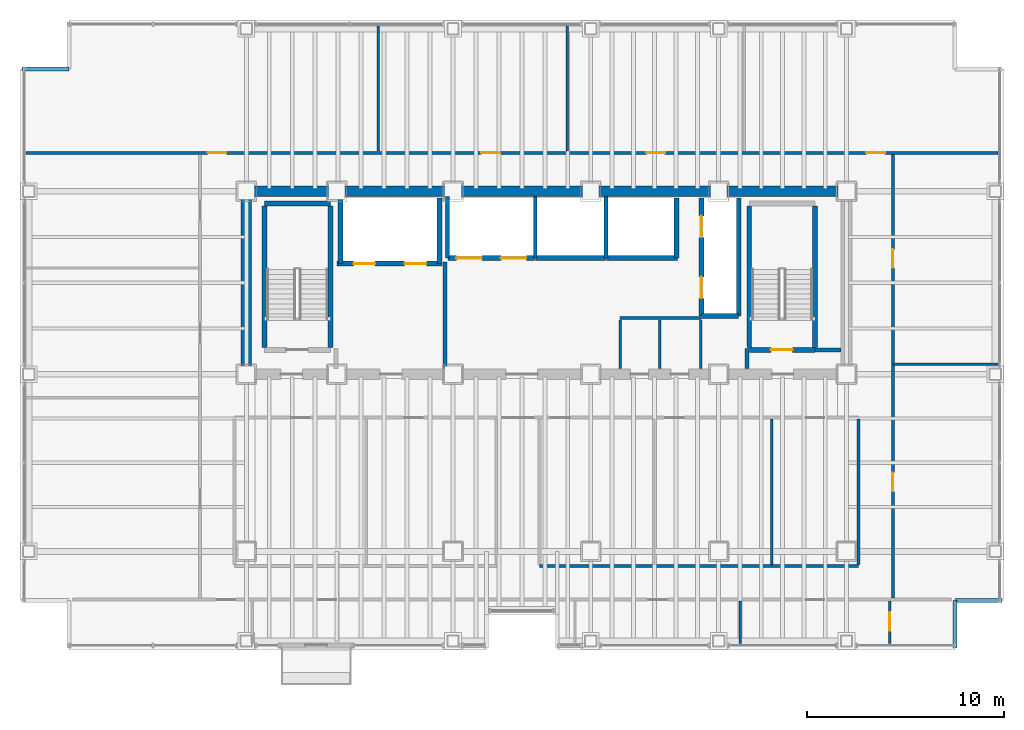
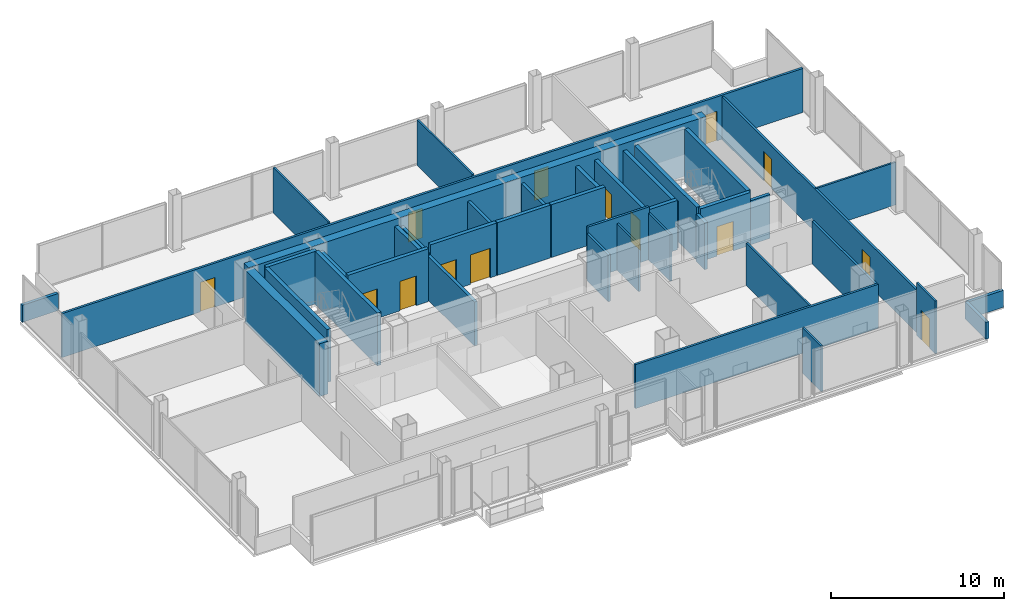
# One storey, part 19 of 21: 41 walls, 14 doors, 14 openings.
"""IFC4 building model written with IfcOpenShell, lengths in metres."""

from ifc_helpers import new_model, si_unit, direction, frame, frame_2d, origin, place, context, subcontext, project, spatial, rectangle, extrude, material, layer, layer_set, type_object, element, fill, save


model = new_model("IFC4")

# Units and contexts
model_context = context("Model", 3, precision=1e-05, world=origin(), true_north=direction((0.0, 1.0)))
body_context = subcontext(model_context, "Body", "Model", "MODEL_VIEW")
ifc_project = project(units=[si_unit("LENGTHUNIT", "METRE"), si_unit("AREAUNIT", "SQUARE_METRE"), si_unit("VOLUMEUNIT", "CUBIC_METRE"), si_unit("PLANEANGLEUNIT", "RADIAN"), si_unit("MASSUNIT", "GRAM", prefix="KILO")], contexts=[model_context])

# Site, building, storey
site_placement = place(None, origin())
site = spatial("IfcSite", under=ifc_project, at=site_placement, CompositionType="ELEMENT")
building_placement = place(site_placement, origin())
building = spatial("IfcBuilding", under=site, at=building_placement, Name="Noeulbin Bourse Tower", CompositionType="ELEMENT")
storey_placement = place(building_placement, frame((0.0, 0.0, 34.300048828125)))
storey = spatial("IfcBuildingStorey", under=building, at=storey_placement, Name="L08", CompositionType="ELEMENT", Elevation=34.300048828125)

# Walls
ifc_material_1 = material(Name="Concrete C60/75", Category="concrete")
ifc_layer_1 = layer(ifc_material_1, 0.550048828125)
ifc_layer_set_1 = layer_set([ifc_layer_1], Name="Concrete C60/75")
wall_type_1 = type_object("IfcWallType", Name="WAL-CORE-550", PredefinedType="SHEAR", material=ifc_layer_set_1)
wall_1_placement = place(storey_placement, frame((13.5, 38.300048828125, 0.0), z_axis=(0.0, 0.0, 1.0), x_axis=(1.0, 0.0, 0.0)))
element("IfcWall", 1, at=wall_1_placement, inside=storey, type_object=wall_type_1, Name="Rear Core North Shear Wall L08", PredefinedType="SHEAR", context=body_context, shape_type="SweptSolid", body=[
    extrude(rectangle(XDim=30.5, YDim=0.550048828125, at=frame_2d((15.25, 0.0))), origin(), (0.0, 0.0, 1.0), 3.719970703125),
])
wall_2_placement = place(storey_placement, frame((13.5, 29.35009765625, 0.0), z_axis=(0.0, 0.0, 1.0), x_axis=(0.0, 1.0, 0.0)))
element("IfcWall", 2, at=wall_2_placement, inside=storey, type_object=wall_type_1, Name="Rear Core West Shear Wall L08", PredefinedType="SHEAR", context=body_context, shape_type="SweptSolid", body=[
    extrude(rectangle(XDim=8.599853515625, YDim=0.550048828125, at=frame_2d((4.2998046875, 0.0))), origin(), (0.0, 0.0, 1.0), 3.719970703125),
])
ifc_material_2 = material(Name="Concrete C40/50", Category="concrete")
ifc_layer_2 = layer(ifc_material_2, 0.199951171875)
ifc_layer_set_2 = layer_set([ifc_layer_2], Name="Concrete C40/50")
wall_type_2 = type_object("IfcWallType", Name="WAL-FIRE-200", PredefinedType="STANDARD", material=ifc_layer_set_2)
wall_3_placement = place(storey_placement, frame((42.39990234375, 30.239990234375, 0.0), z_axis=(0.0, 0.0, 1.0), x_axis=(1.0, 0.0, 0.0)))
element("IfcWall", 3, at=wall_3_placement, inside=storey, type_object=wall_type_2, Name="Interior Partition Wall L08-01", PredefinedType="STANDARD", context=body_context, shape_type="SweptSolid", body=[
    extrude(rectangle(XDim=1.315185546875, YDim=0.199951171875, at=frame_2d((0.65771484375, 0.0))), origin(), (0.0, 0.0, 1.0), 3.099853515625),
])
wall_4_placement = place(storey_placement, frame((38.949951171875, 29.284912109375, 0.0), z_axis=(0.0, 0.0, 1.0), x_axis=(0.0, 1.0, 0.0)))
element("IfcWall", 4, at=wall_4_placement, inside=storey, type_object=wall_type_2, Name="Interior Partition Wall L08-12", PredefinedType="STANDARD", context=body_context, shape_type="SweptSolid", body=[
    extrude(rectangle(XDim=1.01513671875, YDim=0.199951171875, at=frame_2d((0.507568359375, 0.0))), origin(), (0.0, 0.0, 1.0), 3.300048828125),
])
wall_5_placement = place(storey_placement, frame((23.60009765625, 29.284912109375, 0.0), z_axis=(0.0, 0.0, 1.0), x_axis=(0.0, 1.0, 0.0)))
element("IfcWall", 5, at=wall_5_placement, inside=storey, type_object=wall_type_2, Name="Interior Partition Wall L08-13", PredefinedType="STANDARD", context=body_context, shape_type="SweptSolid", body=[
    extrude(rectangle(XDim=5.4150390625, YDim=0.199951171875, at=frame_2d((2.70751953125, 0.0))), origin(), (0.0, 0.0, 1.0), 3.099853515625),
])
ifc_layer_3 = layer(ifc_material_2, 0.199951171875)
ifc_layer_set_3 = layer_set([ifc_layer_3], Name="Concrete C40/50")
wall_type_3 = type_object("IfcWallType", Name="WAL-PAR-200", PredefinedType="PARAPET", material=ifc_layer_set_3)
for number, where, z_axis, x_axis, name in (
    (6, (49.5, 15.10009765625, 0.0), (0.0, 0.0, 1.0), (0.0, 1.0, 0.0), "Corner Notch Parapet L08-SE1"),
    (7, (49.5, 17.5, 0.0), (0.0, 0.0, 1.0), (1.0, 0.0, 0.0), "Corner Notch Parapet L08-SE2"),
    (8, (2.10009765625, 44.5, 0.0), (0.0, 0.0, 1.0), (1.0, 0.0, 0.0), "Corner Notch Parapet L08-NW1"),
):
    element("IfcWall", number, at=place(storey_placement, frame(where, z_axis=z_axis, x_axis=x_axis)), inside=storey, type_object=wall_type_3, Name=name, PredefinedType="PARAPET", context=body_context, shape_type="SweptSolid", body=[
        extrude(rectangle(XDim=2.39990234375, YDim=0.199951171875, at=frame_2d((1.199951171875, 0.0))), origin(), (0.0, 0.0, 1.0), 1.199951171875),
    ])
ifc_material_3 = material(Name="Steel Stud Gypsum Partition", Category="steel")
ifc_layer_4 = layer(ifc_material_3, 0.1201171875)
ifc_layer_set_4 = layer_set([ifc_layer_4], Name="Steel Stud Gypsum Partition")
wall_type_4 = type_object("IfcWallType", Name="WAL-PRT-120", PredefinedType="PARTITIONING", material=ifc_layer_set_4)
wall_6_placement = place(storey_placement, frame((46.35009765625, 29.5, 0.0), z_axis=(0.0, 0.0, 1.0), x_axis=(1.0, 0.0, 0.0)))
element("IfcWall", 9, at=wall_6_placement, inside=storey, type_object=wall_type_4, Name="Interior Partition Wall L08-09", PredefinedType="PARTITIONING", context=body_context, shape_type="SweptSolid", body=[
    extrude(rectangle(XDim=5.33984375, YDim=0.1201171875, at=frame_2d((2.669921875, 0.0))), origin(), (0.0, 0.0, 1.0), 3.0),
])
for number, where, z_axis, x_axis, name in (
    (10, (36.60009765625, 29.284912109375, 0.0), (0.0, 0.0, 1.0), (0.0, 1.0, 0.0), "Interior Partition Wall L08-15"),
    (11, (34.5, 29.284912109375, 0.0), (0.0, 0.0, 1.0), (0.0, 1.0, 0.0), "Interior Partition Wall L08-16"),
):
    element("IfcWall", number, at=place(storey_placement, frame(where, z_axis=z_axis, x_axis=x_axis)), inside=storey, type_object=wall_type_4, Name=name, PredefinedType="PARTITIONING", context=body_context, shape_type="SweptSolid", body=[
        extrude(rectangle(XDim=2.47998046875, YDim=0.1201171875, at=frame_2d((1.239990234375, 0.0))), origin(), (0.0, 0.0, 1.0), 3.300048828125),
    ])
wall_7_placement = place(storey_placement, frame((38.60009765625, 15.31005859375, 0.0), z_axis=(0.0, 0.0, 1.0), x_axis=(0.0, 1.0, 0.0)))
element("IfcWall", 12, at=wall_7_placement, inside=storey, type_object=wall_type_4, Name="Interior Partition Wall L08-25", PredefinedType="PARTITIONING", context=body_context, shape_type="SweptSolid", body=[
    extrude(rectangle(XDim=2.155029296875, YDim=0.1201171875, at=frame_2d((1.07763671875, 0.0))), origin(), (0.0, 0.0, 1.0), 3.2119140625),
])

# Wall, opening, door
wall_8_placement = place(storey_placement, frame((46.199951171875, 15.31005859375, 0.0), z_axis=(0.0, 0.0, 1.0), x_axis=(0.0, 1.0, 0.0)))
wall_8 = element("IfcWall", 13, at=wall_8_placement, inside=storey, type_object=wall_type_4, Name="Interior Partition Wall L08-26", PredefinedType="PARTITIONING", context=body_context, shape_type="SweptSolid", body=[
    extrude(rectangle(XDim=2.155029296875, YDim=0.1201171875, at=frame_2d((1.07763671875, 0.0))), origin(), (0.0, 0.0, 1.0), 3.719970703125),
])
opening_1_placement = place(wall_8_placement, frame((0.64501953125, 0.0, 0.0)))
opening_1 = element("IfcOpeningElement", 14, at=opening_1_placement, cuts=wall_8, Name="Opening ID-09", PredefinedType="OPENING", context=body_context, shape_type="SweptSolid", body=[
    extrude(rectangle(XDim=0.949951171875, YDim=2.080078125, at=frame_2d((0.47509765625, 1.0400390625))), frame((0.0, 0.070068359375, 0.0), z_axis=(0.0, -1.0, 0.0), x_axis=(1.0, 0.0, 0.0)), (0.0, 0.0, 1.0), 0.14013671875),
])
ifc_material_4 = material(Name="Acoustic Solid-Core Timber", Category="wood")
door_type_1 = type_object("IfcDoorType", Name="DR-SINGLE-950", OperationType="SINGLE_SWING_LEFT", PredefinedType="DOOR", material=ifc_material_4)
door_1_placement = place(opening_1_placement, origin())
door_1 = element("IfcDoor", 15, at=door_1_placement, inside=storey, type_object=door_type_1, Name="Interior Door L08-12", OperationType="SINGLE_SWING_RIGHT", OverallHeight=2.080078125, OverallWidth=0.949951171875, PredefinedType="DOOR", context=body_context, shape_type="SweptSolid", body=[
    extrude(rectangle(XDim=0.949951171875, YDim=2.080078125, at=frame_2d((0.47509765625, 1.0400390625))), frame((0.0, 0.02490234375, 0.0), z_axis=(0.0, -1.0, 0.0), x_axis=(1.0, 0.0, 0.0)), (0.0, 0.0, 1.0), 0.050048828125),
])
fill(opening_1, door_1)

# Walls
wall_9_placement = place(storey_placement, frame((40.199951171875, 19.3349609375, 0.0), z_axis=(0.0, 0.0, 1.0), x_axis=(0.0, 1.0, 0.0)))
element("IfcWall", 16, at=wall_9_placement, inside=storey, type_object=wall_type_4, Name="Interior Partition Wall L08-29", PredefinedType="PARTITIONING", context=body_context, shape_type="SweptSolid", body=[
    extrude(rectangle(XDim=7.380126953125, YDim=0.1201171875, at=frame_2d((3.68994140625, 0.0))), origin(), (0.0, 0.0, 1.0), 3.0),
])
for number, where, z_axis, x_axis, name in (
    (17, (20.199951171875, 40.3349609375, 0.0), (0.0, 0.0, 1.0), (0.0, 1.0, 0.0), "Interior Partition Wall L08-30"),
    (18, (29.800048828125, 40.3349609375, 0.0), (0.0, 0.0, 1.0), (0.0, 1.0, 0.0), "Interior Partition Wall L08-31"),
):
    element("IfcWall", number, at=place(storey_placement, frame(where, z_axis=z_axis, x_axis=x_axis)), inside=storey, type_object=wall_type_4, Name=name, PredefinedType="PARTITIONING", context=body_context, shape_type="SweptSolid", body=[
        extrude(rectangle(XDim=6.35498046875, YDim=0.1201171875, at=frame_2d((3.177490234375, 0.0))), origin(), (0.0, 0.0, 1.0), 3.2119140625),
    ])
ifc_material_5 = material(Name="Steel Stud Acoustic Gypsum Board", Category="steel")
ifc_layer_5 = layer(ifc_material_5, 0.14990234375)
ifc_layer_set_5 = layer_set([ifc_layer_5], Name="Steel Stud Acoustic Gypsum Board")
wall_type_5 = type_object("IfcWallType", Name="WAL-PRT-150", PredefinedType="PARTITIONING", material=ifc_layer_set_5)
wall_10_placement = place(storey_placement, frame((32.5, 31.85009765625, 0.0), z_axis=(0.0, 0.0, 1.0), x_axis=(1.0, 0.0, 0.0)))
element("IfcWall", 19, at=wall_10_placement, inside=storey, type_object=wall_type_5, Name="Interior Partition Wall L08-02", PredefinedType="PARTITIONING", context=body_context, shape_type="SweptSolid", body=[
    extrude(rectangle(XDim=4.10009765625, YDim=0.14990234375, at=frame_2d((2.050048828125, 0.0))), origin(), (0.0, 0.0, 1.0), 3.719970703125),
])
wall_11_placement = place(storey_placement, frame((28.39990234375, 19.25, 0.0), z_axis=(0.0, 0.0, 1.0), x_axis=(1.0, 0.0, 0.0)))
element("IfcWall", 20, at=wall_11_placement, inside=storey, type_object=wall_type_5, Name="Interior Partition Wall L08-06", PredefinedType="PARTITIONING", context=body_context, shape_type="SweptSolid", body=[
    extrude(rectangle(XDim=16.2001953125, YDim=0.14990234375, at=frame_2d((8.10009765625, 0.0))), origin(), (0.0, 0.0, 1.0), 3.099853515625),
])

# Wall, openings, doors
wall_12_placement = place(storey_placement, frame((2.31005859375, 40.25, 0.0), z_axis=(0.0, 0.0, 1.0), x_axis=(1.0, 0.0, 0.0)))
wall_12 = element("IfcWall", 21, at=wall_12_placement, inside=storey, type_object=wall_type_5, Name="Interior Partition Wall L08-10", PredefinedType="PARTITIONING", context=body_context, shape_type="SweptSolid", body=[
    extrude(rectangle(XDim=49.3798828125, YDim=0.14990234375, at=frame_2d((24.68994140625, 0.0))), origin(), (0.0, 0.0, 1.0), 3.099853515625),
])
opening_2_placement = place(wall_12_placement, frame((9.22998046875, 0.0, 0.0)))
opening_2 = element("IfcOpeningElement", 22, at=opening_2_placement, cuts=wall_12, Name="Opening ID-09", PredefinedType="OPENING", context=body_context, shape_type="SweptSolid", body=[
    extrude(rectangle(XDim=0.949951171875, YDim=2.080078125, at=frame_2d((0.47509765625, 1.0400390625))), frame((0.0, 0.0849609375, 0.0), z_axis=(0.0, -1.0, 0.0), x_axis=(1.0, 0.0, 0.0)), (0.0, 0.0, 1.0), 0.169921875),
])
opening_3_placement = place(wall_12_placement, frame((23.114990234375, 0.0, 0.0)))
opening_3 = element("IfcOpeningElement", 23, at=opening_3_placement, cuts=wall_12, Name="Opening ID-09", PredefinedType="OPENING", context=body_context, shape_type="SweptSolid", body=[
    extrude(rectangle(XDim=0.949951171875, YDim=2.080078125, at=frame_2d((0.47509765625, 1.0400390625))), frame((0.0, 0.0849609375, 0.0), z_axis=(0.0, -1.0, 0.0), x_axis=(1.0, 0.0, 0.0)), (0.0, 0.0, 1.0), 0.169921875),
])
opening_4_placement = place(wall_12_placement, frame((31.514892578125, 0.0, 0.0)))
opening_4 = element("IfcOpeningElement", 24, at=opening_4_placement, cuts=wall_12, Name="Opening ID-09", PredefinedType="OPENING", context=body_context, shape_type="SweptSolid", body=[
    extrude(rectangle(XDim=0.949951171875, YDim=2.080078125, at=frame_2d((0.47509765625, 1.0400390625))), frame((0.0, 0.0849609375, 0.0), z_axis=(0.0, -1.0, 0.0), x_axis=(1.0, 0.0, 0.0)), (0.0, 0.0, 1.0), 0.169921875),
])
opening_5_placement = place(wall_12_placement, frame((42.699951171875, 0.0, 0.0)))
opening_5 = element("IfcOpeningElement", 25, at=opening_5_placement, cuts=wall_12, Name="Opening ID-09", PredefinedType="OPENING", context=body_context, shape_type="SweptSolid", body=[
    extrude(rectangle(XDim=0.949951171875, YDim=2.080078125, at=frame_2d((0.47509765625, 1.0400390625))), frame((0.0, 0.0849609375, 0.0), z_axis=(0.0, -1.0, 0.0), x_axis=(1.0, 0.0, 0.0)), (0.0, 0.0, 1.0), 0.169921875),
])
door_2_placement = place(opening_2_placement, origin())
door_2 = element("IfcDoor", 26, at=door_2_placement, inside=storey, type_object=door_type_1, Name="Interior Door L08-23", OperationType="SINGLE_SWING_LEFT", OverallHeight=2.080078125, OverallWidth=0.949951171875, PredefinedType="DOOR", context=body_context, shape_type="SweptSolid", body=[
    extrude(rectangle(XDim=0.949951171875, YDim=2.080078125, at=frame_2d((0.47509765625, 1.0400390625))), frame((0.0, 0.02490234375, 0.0), z_axis=(0.0, -1.0, 0.0), x_axis=(1.0, 0.0, 0.0)), (0.0, 0.0, 1.0), 0.050048828125),
])
fill(opening_2, door_2)
door_3_placement = place(opening_3_placement, origin())
door_3 = element("IfcDoor", 27, at=door_3_placement, inside=storey, type_object=door_type_1, Name="Interior Door L08-24", OperationType="SINGLE_SWING_RIGHT", OverallHeight=2.080078125, OverallWidth=0.949951171875, PredefinedType="DOOR", context=body_context, shape_type="SweptSolid", body=[
    extrude(rectangle(XDim=0.949951171875, YDim=2.080078125, at=frame_2d((0.47509765625, 1.0400390625))), frame((0.0, 0.02490234375, 0.0), z_axis=(0.0, -1.0, 0.0), x_axis=(1.0, 0.0, 0.0)), (0.0, 0.0, 1.0), 0.050048828125),
])
fill(opening_3, door_3)
door_4_placement = place(opening_4_placement, origin())
door_4 = element("IfcDoor", 28, at=door_4_placement, inside=storey, type_object=door_type_1, Name="Interior Door L08-25", OperationType="SINGLE_SWING_LEFT", OverallHeight=2.080078125, OverallWidth=0.949951171875, PredefinedType="DOOR", context=body_context, shape_type="SweptSolid", body=[
    extrude(rectangle(XDim=0.949951171875, YDim=2.080078125, at=frame_2d((0.47509765625, 1.0400390625))), frame((0.0, 0.02490234375, 0.0), z_axis=(0.0, -1.0, 0.0), x_axis=(1.0, 0.0, 0.0)), (0.0, 0.0, 1.0), 0.050048828125),
])
fill(opening_4, door_4)
door_5_placement = place(opening_5_placement, origin())
door_5 = element("IfcDoor", 29, at=door_5_placement, inside=storey, type_object=door_type_1, Name="Interior Door L08-26", OperationType="SINGLE_SWING_RIGHT", OverallHeight=2.080078125, OverallWidth=0.949951171875, PredefinedType="DOOR", context=body_context, shape_type="SweptSolid", body=[
    extrude(rectangle(XDim=0.949951171875, YDim=2.080078125, at=frame_2d((0.47509765625, 1.0400390625))), frame((0.0, 0.02490234375, 0.0), z_axis=(0.0, -1.0, 0.0), x_axis=(1.0, 0.0, 0.0)), (0.0, 0.0, 1.0), 0.050048828125),
])
fill(opening_5, door_5)

# Wall
wall_13_placement = place(storey_placement, frame((32.5, 29.284912109375, 0.0), z_axis=(0.0, 0.0, 1.0), x_axis=(0.0, 1.0, 0.0)))
element("IfcWall", 30, at=wall_13_placement, inside=storey, type_object=wall_type_5, Name="Interior Partition Wall L08-14", PredefinedType="PARTITIONING", context=body_context, shape_type="SweptSolid", body=[
    extrude(rectangle(XDim=2.47998046875, YDim=0.14990234375, at=frame_2d((1.239990234375, 0.0))), origin(), (0.0, 0.0, 1.0), 3.300048828125),
])

# Wall, openings, doors
wall_14_placement = place(storey_placement, frame((46.35009765625, 17.635009765625, 0.0), z_axis=(0.0, 0.0, 1.0), x_axis=(0.0, 1.0, 0.0)))
wall_14 = element("IfcWall", 31, at=wall_14_placement, inside=storey, type_object=wall_type_5, Name="Interior Partition Wall L08-21", PredefinedType="PARTITIONING", context=body_context, shape_type="SweptSolid", body=[
    extrude(rectangle(XDim=22.530029296875, YDim=0.14990234375, at=frame_2d((11.26513671875, 0.0))), origin(), (0.0, 0.0, 1.0), 3.0),
])
opening_6_placement = place(wall_14_placement, frame((5.4150390625, 0.0, 0.0)))
opening_6 = element("IfcOpeningElement", 32, at=opening_6_placement, cuts=wall_14, Name="Opening ID-09", PredefinedType="OPENING", context=body_context, shape_type="SweptSolid", body=[
    extrude(rectangle(XDim=0.949951171875, YDim=2.080078125, at=frame_2d((0.47509765625, 1.0400390625))), frame((0.0, 0.0849609375, 0.0), z_axis=(0.0, -1.0, 0.0), x_axis=(1.0, 0.0, 0.0)), (0.0, 0.0, 1.0), 0.169921875),
])
opening_7_placement = place(wall_14_placement, frame((16.764892578125, 0.0, 0.0)))
opening_7 = element("IfcOpeningElement", 33, at=opening_7_placement, cuts=wall_14, Name="Opening ID-09", PredefinedType="OPENING", context=body_context, shape_type="SweptSolid", body=[
    extrude(rectangle(XDim=0.949951171875, YDim=2.080078125, at=frame_2d((0.47509765625, 1.0400390625))), frame((0.0, 0.0849609375, 0.0), z_axis=(0.0, -1.0, 0.0), x_axis=(1.0, 0.0, 0.0)), (0.0, 0.0, 1.0), 0.169921875),
])
door_6_placement = place(opening_6_placement, origin())
door_6 = element("IfcDoor", 34, at=door_6_placement, inside=storey, type_object=door_type_1, Name="Interior Door L08-21", OperationType="SINGLE_SWING_LEFT", OverallHeight=2.080078125, OverallWidth=0.949951171875, PredefinedType="DOOR", context=body_context, shape_type="SweptSolid", body=[
    extrude(rectangle(XDim=0.949951171875, YDim=2.080078125, at=frame_2d((0.47509765625, 1.0400390625))), frame((0.0, 0.02490234375, 0.0), z_axis=(0.0, -1.0, 0.0), x_axis=(1.0, 0.0, 0.0)), (0.0, 0.0, 1.0), 0.050048828125),
])
fill(opening_6, door_6)
door_7_placement = place(opening_7_placement, origin())
door_7 = element("IfcDoor", 35, at=door_7_placement, inside=storey, type_object=door_type_1, Name="Interior Door L08-22", OperationType="SINGLE_SWING_RIGHT", OverallHeight=2.080078125, OverallWidth=0.949951171875, PredefinedType="DOOR", context=body_context, shape_type="SweptSolid", body=[
    extrude(rectangle(XDim=0.949951171875, YDim=2.080078125, at=frame_2d((0.47509765625, 1.0400390625))), frame((0.0, 0.02490234375, 0.0), z_axis=(0.0, -1.0, 0.0), x_axis=(1.0, 0.0, 0.0)), (0.0, 0.0, 1.0), 0.050048828125),
])
fill(opening_7, door_7)

# Walls
wall_15_placement = place(storey_placement, frame((44.60009765625, 19.3349609375, 0.0), z_axis=(0.0, 0.0, 1.0), x_axis=(0.0, 1.0, 0.0)))
element("IfcWall", 36, at=wall_15_placement, inside=storey, type_object=wall_type_5, Name="Interior Partition Wall L08-22", PredefinedType="PARTITIONING", context=body_context, shape_type="SweptSolid", body=[
    extrude(rectangle(XDim=7.380126953125, YDim=0.14990234375, at=frame_2d((3.68994140625, 0.0))), origin(), (0.0, 0.0, 1.0), 3.0),
])
ifc_layer_6 = layer(ifc_material_2, 0.25)
ifc_layer_set_6 = layer_set([ifc_layer_6], Name="Concrete C40/50")
wall_type_6 = type_object("IfcWallType", Name="WAL-SHFT-250", PredefinedType="STANDARD", material=ifc_layer_set_6)
wall_16_placement = place(storey_placement, frame((14.429931640625, 37.6689453125, 0.0), z_axis=(0.0, 0.0, 1.0), x_axis=(1.0, 0.0, 0.0)))
element("IfcWall", 37, at=wall_16_placement, inside=storey, type_object=wall_type_6, Name="Stair ST-1 North Shaft Wall L08", PredefinedType="STANDARD", context=body_context, shape_type="SweptSolid", body=[
    extrude(rectangle(XDim=3.340087890625, YDim=0.25, at=frame_2d((1.669921875, 0.0))), origin(), (0.0, 0.0, 1.0), 3.719970703125),
])
for number, where, z_axis, x_axis, name in (
    (38, (14.425048828125, 30.360107421875, 0.0), (0.0, 0.0, 1.0), (0.0, 1.0, 0.0), "Stair ST-1 West Shaft Wall L08"),
    (39, (17.77490234375, 30.360107421875, 0.0), (0.0, 0.0, 1.0), (0.0, 1.0, 0.0), "Stair ST-1 East Shaft Wall L08"),
):
    element("IfcWall", number, at=place(storey_placement, frame(where, z_axis=z_axis, x_axis=x_axis)), inside=storey, type_object=wall_type_6, Name=name, PredefinedType="STANDARD", context=body_context, shape_type="SweptSolid", body=[
        extrude(rectangle(XDim=7.183837890625, YDim=0.25, at=frame_2d((3.591796875, 0.0))), origin(), (0.0, 0.0, 1.0), 3.719970703125),
    ])

# Wall, opening, door
wall_17_placement = place(storey_placement, frame((39.06005859375, 30.235107421875, 0.0), z_axis=(0.0, 0.0, 1.0), x_axis=(1.0, 0.0, 0.0)))
wall_17 = element("IfcWall", 40, at=wall_17_placement, inside=storey, type_object=wall_type_6, Name="Stair ST-2 South Shaft Wall L08", PredefinedType="STANDARD", context=body_context, shape_type="SweptSolid", body=[
    extrude(rectangle(XDim=3.33984375, YDim=0.25, at=frame_2d((1.669921875, 0.0))), origin(), (0.0, 0.0, 1.0), 3.719970703125),
])
opening_8_placement = place(wall_17_placement, frame((1.10009765625, 0.0, 0.0)))
opening_8 = element("IfcOpeningElement", 41, at=opening_8_placement, cuts=wall_17, Name="Opening FD-11", PredefinedType="OPENING", context=body_context, shape_type="SweptSolid", body=[
    extrude(rectangle(XDim=1.10009765625, YDim=2.080078125, at=frame_2d((0.550048828125, 1.0400390625))), frame((0.0, 0.135009765625, 0.0), z_axis=(0.0, -1.0, 0.0), x_axis=(1.0, 0.0, 0.0)), (0.0, 0.0, 1.0), 0.27001953125),
])
ifc_material_6 = material(Name="Fire-Rated Insulated Steel", Category="steel")
door_type_2 = type_object("IfcDoorType", Name="DR-FD60-1100", OperationType="SINGLE_SWING_LEFT", PredefinedType="DOOR", material=ifc_material_6)
door_8_placement = place(opening_8_placement, origin())
door_8 = element("IfcDoor", 42, at=door_8_placement, inside=storey, type_object=door_type_2, Name="Protected Stair Entry Door ST2-L08", OperationType="SINGLE_SWING_RIGHT", OverallHeight=2.080078125, OverallWidth=1.10009765625, PredefinedType="DOOR", context=body_context, shape_type="SweptSolid", body=[
    extrude(rectangle(XDim=1.10009765625, YDim=2.080078125, at=frame_2d((0.550048828125, 1.0400390625))), frame((0.0, 0.02490234375, 0.0), z_axis=(0.0, -1.0, 0.0), x_axis=(1.0, 0.0, 0.0)), (0.0, 0.0, 1.0), 0.050048828125),
])
fill(opening_8, door_8)

# Walls
for number, where, z_axis, x_axis, name in (
    (43, (39.054931640625, 30.360107421875, 0.0), (0.0, 0.0, 1.0), (0.0, 1.0, 0.0), "Stair ST-2 West Shaft Wall L08"),
    (44, (42.405029296875, 30.360107421875, 0.0), (0.0, 0.0, 1.0), (0.0, 1.0, 0.0), "Stair ST-2 East Shaft Wall L08"),
):
    element("IfcWall", number, at=place(storey_placement, frame(where, z_axis=z_axis, x_axis=x_axis)), inside=storey, type_object=wall_type_6, Name=name, PredefinedType="STANDARD", context=body_context, shape_type="SweptSolid", body=[
        extrude(rectangle(XDim=7.183837890625, YDim=0.25, at=frame_2d((3.591796875, 0.0))), origin(), (0.0, 0.0, 1.0), 3.719970703125),
    ])

# Wall, openings, doors
wall_18_placement = place(storey_placement, frame((18.10009765625, 34.6201171875, 0.0), z_axis=(0.0, 0.0, 1.0), x_axis=(1.0, 0.0, 0.0)))
wall_18 = element("IfcWall", 45, at=wall_18_placement, inside=storey, type_object=wall_type_6, Name="Firefighting Lift Shaft Front L08", PredefinedType="STANDARD", context=body_context, shape_type="SweptSolid", body=[
    extrude(rectangle(XDim=5.349853515625, YDim=0.25, at=frame_2d((2.6748046875, 0.0))), origin(), (0.0, 0.0, 1.0), 3.719970703125),
])
opening_9_placement = place(wall_18_placement, frame((0.85009765625, 0.0, 0.0)))
opening_9 = element("IfcOpeningElement", 46, at=opening_9_placement, cuts=wall_18, Name="Opening LD-11", PredefinedType="OPENING", context=body_context, shape_type="SweptSolid", body=[
    extrude(rectangle(XDim=1.10009765625, YDim=2.080078125, at=frame_2d((0.550048828125, 1.0400390625))), frame((0.0, 0.135009765625, 0.0), z_axis=(0.0, -1.0, 0.0), x_axis=(1.0, 0.0, 0.0)), (0.0, 0.0, 1.0), 0.27001953125),
])
opening_10_placement = place(wall_18_placement, frame((3.449951171875, 0.0, 0.0)))
opening_10 = element("IfcOpeningElement", 47, at=opening_10_placement, cuts=wall_18, Name="Opening LD-11", PredefinedType="OPENING", context=body_context, shape_type="SweptSolid", body=[
    extrude(rectangle(XDim=1.10009765625, YDim=2.080078125, at=frame_2d((0.550048828125, 1.0400390625))), frame((0.0, 0.135009765625, 0.0), z_axis=(0.0, -1.0, 0.0), x_axis=(1.0, 0.0, 0.0)), (0.0, 0.0, 1.0), 0.27001953125),
])
ifc_material_7 = material(Name="Brushed Stainless Steel 316", Category="steel")
door_type_3 = type_object("IfcDoorType", Name="DR-LIFT-1100", OperationType="SLIDING_TO_LEFT", PredefinedType="DOOR", material=ifc_material_7)
door_9_placement = place(opening_9_placement, origin())
door_9 = element("IfcDoor", 48, at=door_9_placement, inside=storey, type_object=door_type_3, Name="Lift Landing Door LD-FL-01-L08", OperationType="SLIDING_TO_LEFT", OverallHeight=2.080078125, OverallWidth=1.10009765625, PredefinedType="DOOR", context=body_context, shape_type="SweptSolid", body=[
    extrude(rectangle(XDim=1.10009765625, YDim=2.080078125, at=frame_2d((0.550048828125, 1.0400390625))), frame((0.0, 0.02490234375, 0.0), z_axis=(0.0, -1.0, 0.0), x_axis=(1.0, 0.0, 0.0)), (0.0, 0.0, 1.0), 0.050048828125),
])
fill(opening_9, door_9)
door_10_placement = place(opening_10_placement, origin())
door_10 = element("IfcDoor", 49, at=door_10_placement, inside=storey, type_object=door_type_3, Name="Lift Landing Door LD-FL-02-L08", OperationType="SLIDING_TO_LEFT", OverallHeight=2.080078125, OverallWidth=1.10009765625, PredefinedType="DOOR", context=body_context, shape_type="SweptSolid", body=[
    extrude(rectangle(XDim=1.10009765625, YDim=2.080078125, at=frame_2d((0.550048828125, 1.0400390625))), frame((0.0, 0.02490234375, 0.0), z_axis=(0.0, -1.0, 0.0), x_axis=(1.0, 0.0, 0.0)), (0.0, 0.0, 1.0), 0.050048828125),
])
fill(opening_10, door_10)

wall_19_placement = place(storey_placement, frame((36.6201171875, 31.949951171875, 0.0), z_axis=(0.0, 0.0, 1.0), x_axis=(0.0, 1.0, 0.0)))
wall_19 = element("IfcWall", 50, at=wall_19_placement, inside=storey, type_object=wall_type_6, Name="Service Lift Shaft Wall L08", PredefinedType="STANDARD", context=body_context, shape_type="SweptSolid", body=[
    extrude(rectangle(XDim=6.0, YDim=0.25, at=frame_2d((3.0, 0.0))), origin(), (0.0, 0.0, 1.0), 3.300048828125),
])
opening_11_placement = place(wall_19_placement, frame((0.89990234375, 0.0, 0.0)))
opening_11 = element("IfcOpeningElement", 51, at=opening_11_placement, cuts=wall_19, Name="Opening LD-11", PredefinedType="OPENING", context=body_context, shape_type="SweptSolid", body=[
    extrude(rectangle(XDim=1.10009765625, YDim=2.080078125, at=frame_2d((0.550048828125, 1.0400390625))), frame((0.0, 0.135009765625, 0.0), z_axis=(0.0, -1.0, 0.0), x_axis=(1.0, 0.0, 0.0)), (0.0, 0.0, 1.0), 0.27001953125),
])
opening_12_placement = place(wall_19_placement, frame((4.0, 0.0, 0.0)))
opening_12 = element("IfcOpeningElement", 52, at=opening_12_placement, cuts=wall_19, Name="Opening LD-11", PredefinedType="OPENING", context=body_context, shape_type="SweptSolid", body=[
    extrude(rectangle(XDim=1.10009765625, YDim=2.080078125, at=frame_2d((0.550048828125, 1.0400390625))), frame((0.0, 0.135009765625, 0.0), z_axis=(0.0, -1.0, 0.0), x_axis=(1.0, 0.0, 0.0)), (0.0, 0.0, 1.0), 0.27001953125),
])
door_11_placement = place(opening_11_placement, origin())
door_11 = element("IfcDoor", 53, at=door_11_placement, inside=storey, type_object=door_type_3, Name="Lift Landing Door LD-EL-01-L08", OperationType="SLIDING_TO_LEFT", OverallHeight=2.080078125, OverallWidth=1.10009765625, PredefinedType="DOOR", context=body_context, shape_type="SweptSolid", body=[
    extrude(rectangle(XDim=1.10009765625, YDim=2.080078125, at=frame_2d((0.550048828125, 1.0400390625))), frame((0.0, 0.02490234375, 0.0), z_axis=(0.0, -1.0, 0.0), x_axis=(1.0, 0.0, 0.0)), (0.0, 0.0, 1.0), 0.050048828125),
])
fill(opening_11, door_11)
door_12_placement = place(opening_12_placement, origin())
door_12 = element("IfcDoor", 54, at=door_12_placement, inside=storey, type_object=door_type_3, Name="Lift Landing Door LD-SV-01-L08", OperationType="SLIDING_TO_LEFT", OverallHeight=2.080078125, OverallWidth=1.10009765625, PredefinedType="DOOR", context=body_context, shape_type="SweptSolid", body=[
    extrude(rectangle(XDim=1.10009765625, YDim=2.080078125, at=frame_2d((0.550048828125, 1.0400390625))), frame((0.0, 0.02490234375, 0.0), z_axis=(0.0, -1.0, 0.0), x_axis=(1.0, 0.0, 0.0)), (0.0, 0.0, 1.0), 0.050048828125),
])
fill(opening_12, door_12)

# Walls
wall_20_placement = place(storey_placement, frame((38.52001953125, 31.949951171875, 0.0), z_axis=(0.0, 0.0, 1.0), x_axis=(0.0, 1.0, 0.0)))
element("IfcWall", 55, at=wall_20_placement, inside=storey, type_object=wall_type_6, Name="Service Lift East Shaft Wall L08", PredefinedType="STANDARD", context=body_context, shape_type="SweptSolid", body=[
    extrude(rectangle(XDim=6.0, YDim=0.25, at=frame_2d((3.0, 0.0))), origin(), (0.0, 0.0, 1.0), 3.300048828125),
])
wall_21_placement = place(storey_placement, frame((36.6201171875, 31.949951171875, 0.0), z_axis=(0.0, 0.0, 1.0), x_axis=(1.0, 0.0, 0.0)))
element("IfcWall", 56, at=wall_21_placement, inside=storey, type_object=wall_type_6, Name="Service Lift South Shaft Wall L08", PredefinedType="STANDARD", context=body_context, shape_type="SweptSolid", body=[
    extrude(rectangle(XDim=1.89990234375, YDim=0.25, at=frame_2d((0.949951171875, 0.0))), origin(), (0.0, 0.0, 1.0), 3.47998046875),
])
for number, where, z_axis, x_axis, name in (
    (57, (18.280029296875, 34.6201171875, 0.0), (0.0, 0.0, 1.0), (0.0, 1.0, 0.0), "Firefighting Lift West Shaft Wall L08"),
    (58, (23.320068359375, 34.6201171875, 0.0), (0.0, 0.0, 1.0), (0.0, 1.0, 0.0), "Firefighting Lift East Shaft Wall L08"),
):
    element("IfcWall", number, at=place(storey_placement, frame(where, z_axis=z_axis, x_axis=x_axis)), inside=storey, type_object=wall_type_6, Name=name, PredefinedType="STANDARD", context=body_context, shape_type="SweptSolid", body=[
        extrude(rectangle(XDim=3.329833984375, YDim=0.25, at=frame_2d((1.6650390625, 0.0))), origin(), (0.0, 0.0, 1.0), 3.300048828125),
    ])
wall_22_placement = place(storey_placement, frame((35.360107421875, 34.89990234375, 0.0), z_axis=(0.0, 0.0, 1.0), x_axis=(0.0, 1.0, 0.0)))
element("IfcWall", 59, at=wall_22_placement, inside=storey, type_object=wall_type_6, Name="High-Rise Lift East Shaft Wall L08", PredefinedType="STANDARD", context=body_context, shape_type="SweptSolid", body=[
    extrude(rectangle(XDim=3.050048828125, YDim=0.25, at=frame_2d((1.52490234375, 0.0))), origin(), (0.0, 0.0, 1.0), 3.300048828125),
])

# Wall, openings, doors
wall_23_placement = place(storey_placement, frame((23.75, 34.89990234375, 0.0), z_axis=(0.0, 0.0, 1.0), x_axis=(1.0, 0.0, 0.0)))
wall_23 = element("IfcWall", 60, at=wall_23_placement, inside=storey, type_object=wall_type_6, Name="Low-Rise Lift Bank Front L08", PredefinedType="STANDARD", context=body_context, shape_type="SweptSolid", body=[
    extrude(rectangle(XDim=4.39990234375, YDim=0.25, at=frame_2d((2.199951171875, 0.0))), origin(), (0.0, 0.0, 1.0), 3.719970703125),
])
opening_13_placement = place(wall_23_placement, frame((0.419921875, 0.0, 0.0)))
opening_13 = element("IfcOpeningElement", 61, at=opening_13_placement, cuts=wall_23, Name="Opening LD-13", PredefinedType="OPENING", context=body_context, shape_type="SweptSolid", body=[
    extrude(rectangle(XDim=1.300048828125, YDim=2.080078125, at=frame_2d((0.64990234375, 1.0400390625))), frame((0.0, 0.135009765625, 0.0), z_axis=(0.0, -1.0, 0.0), x_axis=(1.0, 0.0, 0.0)), (0.0, 0.0, 1.0), 0.27001953125),
])
opening_14_placement = place(wall_23_placement, frame((2.679931640625, 0.0, 0.0)))
opening_14 = element("IfcOpeningElement", 62, at=opening_14_placement, cuts=wall_23, Name="Opening LD-13", PredefinedType="OPENING", context=body_context, shape_type="SweptSolid", body=[
    extrude(rectangle(XDim=1.300048828125, YDim=2.080078125, at=frame_2d((0.64990234375, 1.0400390625))), frame((0.0, 0.135009765625, 0.0), z_axis=(0.0, -1.0, 0.0), x_axis=(1.0, 0.0, 0.0)), (0.0, 0.0, 1.0), 0.27001953125),
])
door_type_4 = type_object("IfcDoorType", Name="DR-LIFT-1300", OperationType="DOUBLE_DOOR_SLIDING", PredefinedType="DOOR", material=ifc_material_7)
door_13_placement = place(opening_13_placement, origin())
door_13 = element("IfcDoor", 63, at=door_13_placement, inside=storey, type_object=door_type_4, Name="Lift Landing Door LD-PL-L1-L08", OperationType="DOUBLE_DOOR_SLIDING", OverallHeight=2.080078125, OverallWidth=1.300048828125, PredefinedType="DOOR", context=body_context, shape_type="SweptSolid", body=[
    extrude(rectangle(XDim=1.300048828125, YDim=2.080078125, at=frame_2d((0.64990234375, 1.0400390625))), frame((0.0, 0.02490234375, 0.0), z_axis=(0.0, -1.0, 0.0), x_axis=(1.0, 0.0, 0.0)), (0.0, 0.0, 1.0), 0.050048828125),
])
fill(opening_13, door_13)
door_14_placement = place(opening_14_placement, origin())
door_14 = element("IfcDoor", 64, at=door_14_placement, inside=storey, type_object=door_type_4, Name="Lift Landing Door LD-PL-L2-L08", OperationType="DOUBLE_DOOR_SLIDING", OverallHeight=2.080078125, OverallWidth=1.300048828125, PredefinedType="DOOR", context=body_context, shape_type="SweptSolid", body=[
    extrude(rectangle(XDim=1.300048828125, YDim=2.080078125, at=frame_2d((0.64990234375, 1.0400390625))), frame((0.0, 0.02490234375, 0.0), z_axis=(0.0, -1.0, 0.0), x_axis=(1.0, 0.0, 0.0)), (0.0, 0.0, 1.0), 0.050048828125),
])
fill(opening_14, door_14)

# Walls
wall_24_placement = place(storey_placement, frame((28.199951171875, 34.89990234375, 0.0), z_axis=(0.0, 0.0, 1.0), x_axis=(1.0, 0.0, 0.0)))
element("IfcWall", 65, at=wall_24_placement, inside=storey, type_object=wall_type_6, Name="Mid-Rise Lift Bank Front L08", PredefinedType="STANDARD", context=body_context, shape_type="SweptSolid", body=[
    extrude(rectangle(XDim=3.550048828125, YDim=0.25, at=frame_2d((1.77490234375, 0.0))), origin(), (0.0, 0.0, 1.0), 3.719970703125),
])
wall_25_placement = place(storey_placement, frame((31.800048828125, 34.89990234375, 0.0), z_axis=(0.0, 0.0, 1.0), x_axis=(1.0, 0.0, 0.0)))
element("IfcWall", 66, at=wall_25_placement, inside=storey, type_object=wall_type_6, Name="High-Rise Lift Bank Front L08", PredefinedType="STANDARD", context=body_context, shape_type="SweptSolid", body=[
    extrude(rectangle(XDim=3.599853515625, YDim=0.25, at=frame_2d((1.7998046875, 0.0))), origin(), (0.0, 0.0, 1.0), 3.719970703125),
])
wall_26_placement = place(storey_placement, frame((23.719970703125, 34.89990234375, 0.0), z_axis=(0.0, 0.0, 1.0), x_axis=(0.0, 1.0, 0.0)))
element("IfcWall", 67, at=wall_26_placement, inside=storey, type_object=wall_type_6, Name="Hoistway Side Shaft Wall L08-PLLW", PredefinedType="STANDARD", context=body_context, shape_type="SweptSolid", body=[
    extrude(rectangle(XDim=3.1201171875, YDim=0.199951171875, at=frame_2d((1.56005859375, 0.0))), origin(), (0.0, 0.0, 1.0), 3.099853515625),
])
for number, where, z_axis, x_axis, name in (
    (68, (28.179931640625, 34.89990234375, 0.0), (0.0, 0.0, 1.0), (0.0, 1.0, 0.0), "Hoistway Side Shaft Wall L08-PLMW"),
    (69, (31.780029296875, 34.89990234375, 0.0), (0.0, 0.0, 1.0), (0.0, 1.0, 0.0), "Hoistway Side Shaft Wall L08-PLHW"),
):
    element("IfcWall", number, at=place(storey_placement, frame(where, z_axis=z_axis, x_axis=x_axis)), inside=storey, type_object=wall_type_6, Name=name, PredefinedType="STANDARD", context=body_context, shape_type="SweptSolid", body=[
        extrude(rectangle(XDim=3.1201171875, YDim=0.199951171875, at=frame_2d((1.56005859375, 0.0))), origin(), (0.0, 0.0, 1.0), 3.300048828125),
    ])

save(model, "model.ifc")
